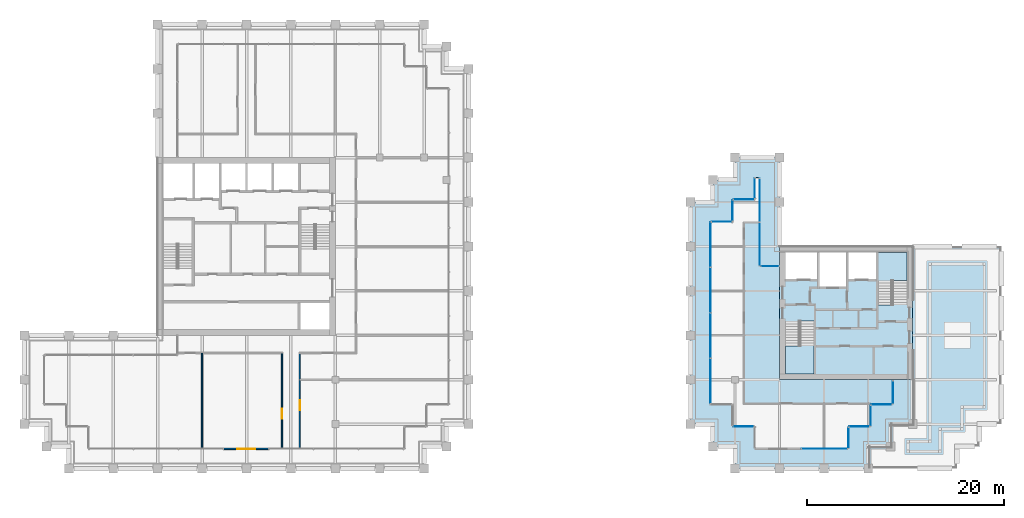
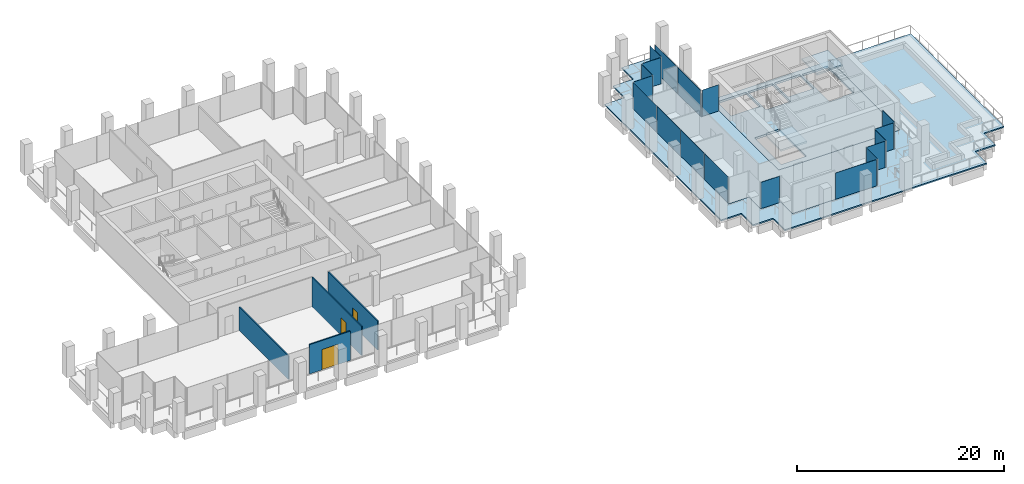
# One storey, part 37 of 44: 18 plates, 5 slabs, 4 walls, 3 doors, 3 openings, 16 elements without a shape of their own.
"""IFC4 building model written with IfcOpenShell, lengths in metres."""

from ifc_helpers import new_model, si_unit, direction, frame, frame_2d, origin, origin_2d, place, context, subcontext, project, spatial, polyline, rectangle, outline, extrude, material, layer, layer_set, type_object, element, fill, aggregate, save


model = new_model("IFC4")

# Units and contexts
model_context = context("Model", 3, precision=1e-05, world=origin(), true_north=direction((0.0, 1.0)))
body_context = subcontext(model_context, "Body", "Model", "MODEL_VIEW")
ifc_project = project(units=[si_unit("LENGTHUNIT", "METRE"), si_unit("AREAUNIT", "SQUARE_METRE"), si_unit("VOLUMEUNIT", "CUBIC_METRE"), si_unit("PLANEANGLEUNIT", "RADIAN"), si_unit("MASSUNIT", "GRAM", prefix="KILO")], contexts=[model_context])

# Site, building, storey
site_placement = place(None, origin())
site = spatial("IfcSite", under=ifc_project, at=site_placement, CompositionType="ELEMENT")
building_placement = place(site_placement, origin())
building = spatial("IfcBuilding", under=site, at=building_placement, Name="Altepetl Exchange Towers", CompositionType="ELEMENT")
storey_placement = place(building_placement, frame((0.0, 0.0, 143.800048828125)))
storey = spatial("IfcBuildingStorey", under=building, at=storey_placement, Name="L35", CompositionType="ELEMENT", Elevation=143.800048828125)

# Slabs
ifc_material_1 = material(Name="Concrete C40/50", Category="concrete")
ifc_layer_1 = layer(ifc_material_1, 0.14990234375)
ifc_layer_set_1 = layer_set([ifc_layer_1], Name="Concrete C40/50")
slab_type_1 = type_object("IfcSlabType", Name="Composite floor slab 150", PredefinedType="FLOOR", material=ifc_layer_set_1)
slab_1_placement = place(storey_placement, frame((0.0, 0.0, -0.150146484375)))
element("IfcSlab", 1, at=slab_1_placement, inside=storey, type_object=slab_type_1, Name="slab:B:L35:strip0", PredefinedType="FLOOR", context=body_context, shape_type="SweptSolid", body=[
    extrude(outline(polyline([(98.75, 31.25), (101.0, 31.25), (101.0, 29.0), (110.5, 29.0), (110.5, 31.25), (112.75, 31.25), (112.75, 33.5), (115.0, 33.5), (115.0, 36.0), (103.5, 36.0), (103.5, 47.5), (101.5, 47.5), (101.5, 56.5), (101.0, 56.5), (101.0, 54.25), (98.75, 54.25), (98.75, 52.0), (96.5, 52.0), (96.5, 33.5), (98.75, 33.5), (98.75, 31.25)])), origin(), (0.0, 0.0, 1.0), 0.150146484375),
])
ifc_layer_2 = layer(ifc_material_1, 0.25)
ifc_layer_set_2 = layer_set([ifc_layer_2], Name="Concrete C40/50")
slab_type_2 = type_object("IfcSlabType", Name="Core floor slab 250", PredefinedType="FLOOR", material=ifc_layer_set_2)
slab_2_placement = place(storey_placement, frame((0.0, 0.0, -0.25)))
element("IfcSlab", 2, at=slab_2_placement, inside=storey, type_object=slab_type_2, Name="slab:B:L35:core0", PredefinedType="FLOOR", context=body_context, shape_type="SweptSolid", body=[
    extrude(outline(polyline([(103.5, 36.0), (117.0, 36.0), (117.0, 49.5), (103.5, 49.5), (103.5, 36.0)]), holes=[polyline([(107.0, 36.699951171875), (104.199951171875, 36.699951171875), (104.199951171875, 41.85009765625), (105.5, 41.85009765625), (105.5, 41.948974609375), (107.0, 41.948974609375), (107.0, 36.699951171875)]), polyline([(113.5, 48.800048828125), (116.300048828125, 48.800048828125), (116.300048828125, 43.64990234375), (115.0, 43.64990234375), (115.0, 43.551025390625), (113.5, 43.551025390625), (113.5, 48.800048828125)]), polyline([(107.532958984375, 45.39990234375), (107.532958984375, 48.89990234375), (110.26708984375, 48.89990234375), (110.26708984375, 45.39990234375), (107.532958984375, 45.39990234375)]), polyline([(104.10009765625, 48.89990234375), (107.3330078125, 48.89990234375), (107.3330078125, 46.199951171875), (104.10009765625, 46.199951171875), (104.10009765625, 48.89990234375)]), polyline([(110.467041015625, 48.89990234375), (113.300048828125, 48.89990234375), (113.300048828125, 46.199951171875), (110.467041015625, 46.199951171875), (110.467041015625, 48.89990234375)])]), origin(), (0.0, 0.0, 1.0), 0.25),
])

# Curtain wall, plate
ifc_material_2 = material(Name="Aluminium 6063-T6 glazing", Category="aluminium")
curtain_wall_type = type_object("IfcCurtainWallType", Name="Loggia glazing system", PredefinedType="NOTDEFINED", material=ifc_material_2)
curtain_wall_1_placement = place(storey_placement, origin())
curtain_wall_1 = element("IfcCurtainWall", 3, at=curtain_wall_1_placement, inside=storey, type_object=curtain_wall_type, Name="CW1 run", PredefinedType="NOTDEFINED")
ifc_material_3 = material(Name="Glass 6-16-6 low emissivity", Category="glass")
ifc_layer_3 = layer(ifc_material_3, 0.028076171875)
ifc_layer_set_3 = layer_set([ifc_layer_3], Name="Glass 6-16-6 low emissivity")
plate_type = type_object("IfcPlateType", Name="Glass panel 28 double glazed", PredefinedType="CURTAIN_PANEL", material=ifc_layer_set_3)
plate_1_placement = place(storey_placement, frame((108.06884765625, 29.0, 0.0)))
plate_1 = element("IfcPlate", 4, at=plate_1_placement, type_object=plate_type, Name="GP1 panel", PredefinedType="CURTAIN_PANEL", context=body_context, shape_type="SweptSolid", body=[
    extrude(rectangle(XDim=4.592529296875, YDim=0.028076171875, at=origin_2d()), origin(), (0.0, 0.0, 1.0), 3.10009765625),
])
aggregate(curtain_wall_1, [plate_1])

curtain_wall_2_placement = place(storey_placement, origin())
curtain_wall_2 = element("IfcCurtainWall", 5, at=curtain_wall_2_placement, inside=storey, type_object=curtain_wall_type, Name="CW1 run", PredefinedType="NOTDEFINED")
plate_2_placement = place(storey_placement, frame((110.5, 30.08740234375, 0.0), z_axis=(0.0, 0.0, 1.0), x_axis=(0.0, 1.0, 0.0)))
plate_2 = element("IfcPlate", 6, at=plate_2_placement, type_object=plate_type, Name="GP1 panel", PredefinedType="CURTAIN_PANEL", context=body_context, shape_type="SweptSolid", body=[
    extrude(rectangle(XDim=2.054931640625, YDim=0.028076171875, at=origin_2d()), origin(), (0.0, 0.0, 1.0), 3.10009765625),
])
aggregate(curtain_wall_2, [plate_2])

curtain_wall_3_placement = place(storey_placement, origin())
curtain_wall_3 = element("IfcCurtainWall", 7, at=curtain_wall_3_placement, inside=storey, type_object=curtain_wall_type, Name="CW1 run", PredefinedType="NOTDEFINED")
plate_3_placement = place(storey_placement, frame((111.58740234375, 31.25, 0.0)))
plate_3 = element("IfcPlate", 8, at=plate_3_placement, type_object=plate_type, Name="GP1 panel", PredefinedType="CURTAIN_PANEL", context=body_context, shape_type="SweptSolid", body=[
    extrude(rectangle(XDim=2.054931640625, YDim=0.028076171875, at=origin_2d()), origin(), (0.0, 0.0, 1.0), 3.10009765625),
])
aggregate(curtain_wall_3, [plate_3])

curtain_wall_4_placement = place(storey_placement, origin())
curtain_wall_4 = element("IfcCurtainWall", 9, at=curtain_wall_4_placement, inside=storey, type_object=curtain_wall_type, Name="CW1 run", PredefinedType="NOTDEFINED")
plate_4_placement = place(storey_placement, frame((112.75, 32.33740234375, 0.0), z_axis=(0.0, 0.0, 1.0), x_axis=(0.0, 1.0, 0.0)))
plate_4 = element("IfcPlate", 10, at=plate_4_placement, type_object=plate_type, Name="GP1 panel", PredefinedType="CURTAIN_PANEL", context=body_context, shape_type="SweptSolid", body=[
    extrude(rectangle(XDim=2.054931640625, YDim=0.028076171875, at=origin_2d()), origin(), (0.0, 0.0, 1.0), 3.10009765625),
])
aggregate(curtain_wall_4, [plate_4])

curtain_wall_5_placement = place(storey_placement, origin())
curtain_wall_5 = element("IfcCurtainWall", 11, at=curtain_wall_5_placement, inside=storey, type_object=curtain_wall_type, Name="CW1 run", PredefinedType="NOTDEFINED")
plate_5_placement = place(storey_placement, frame((113.83740234375, 33.5, 0.0)))
plate_5 = element("IfcPlate", 12, at=plate_5_placement, type_object=plate_type, Name="GP1 panel", PredefinedType="CURTAIN_PANEL", context=body_context, shape_type="SweptSolid", body=[
    extrude(rectangle(XDim=2.054931640625, YDim=0.028076171875, at=origin_2d()), origin(), (0.0, 0.0, 1.0), 3.10009765625),
])
aggregate(curtain_wall_5, [plate_5])

curtain_wall_6_placement = place(storey_placement, origin())
curtain_wall_6 = element("IfcCurtainWall", 13, at=curtain_wall_6_placement, inside=storey, type_object=curtain_wall_type, Name="CW1 run", PredefinedType="NOTDEFINED")
plate_6_placement = place(storey_placement, frame((115.0, 34.71240234375, 0.0), z_axis=(0.0, 0.0, 1.0), x_axis=(0.0, 1.0, 0.0)))
plate_6 = element("IfcPlate", 14, at=plate_6_placement, type_object=plate_type, Name="GP1 panel", PredefinedType="CURTAIN_PANEL", context=body_context, shape_type="SweptSolid", body=[
    extrude(rectangle(XDim=2.304931640625, YDim=0.028076171875, at=origin_2d()), origin(), (0.0, 0.0, 1.0), 3.10009765625),
])
aggregate(curtain_wall_6, [plate_6])

curtain_wall_7_placement = place(storey_placement, origin())
curtain_wall_7 = element("IfcCurtainWall", 15, at=curtain_wall_7_placement, inside=storey, type_object=curtain_wall_type, Name="CW1 run", PredefinedType="NOTDEFINED")
plate_7_placement = place(storey_placement, frame((102.53759765625, 47.5, 0.0), z_axis=(0.0, 0.0, 1.0), x_axis=(-1.0, 0.0, 0.0)))
plate_7 = element("IfcPlate", 16, at=plate_7_placement, type_object=plate_type, Name="GP1 panel", PredefinedType="CURTAIN_PANEL", context=body_context, shape_type="SweptSolid", body=[
    extrude(rectangle(XDim=1.804931640625, YDim=0.028076171875, at=origin_2d()), origin(), (0.0, 0.0, 1.0), 3.10009765625),
])
aggregate(curtain_wall_7, [plate_7])

# Curtain wall, plates
curtain_wall_8_placement = place(storey_placement, origin())
curtain_wall_8 = element("IfcCurtainWall", 17, at=curtain_wall_8_placement, inside=storey, type_object=curtain_wall_type, Name="CW1 run", PredefinedType="NOTDEFINED")
plate_8_placement = place(storey_placement, frame((101.5, 49.746337890625, 0.0), z_axis=(0.0, 0.0, 1.0), x_axis=(0.0, 1.0, 0.0)))
plate_8 = element("IfcPlate", 18, at=plate_8_placement, type_object=plate_type, Name="GP1 panel", PredefinedType="CURTAIN_PANEL", context=body_context, shape_type="SweptSolid", body=[
    extrude(rectangle(XDim=4.37255859375, YDim=0.028076171875, at=origin_2d()), origin(), (0.0, 0.0, 1.0), 3.10009765625),
])
plate_9_placement = place(storey_placement, frame((101.5, 54.1787109375, 0.0), z_axis=(0.0, 0.0, 1.0), x_axis=(0.0, 1.0, 0.0)))
plate_9 = element("IfcPlate", 19, at=plate_9_placement, type_object=plate_type, Name="GP1 panel", PredefinedType="CURTAIN_PANEL", context=body_context, shape_type="SweptSolid", body=[
    extrude(rectangle(XDim=4.37255859375, YDim=0.028076171875, at=origin_2d()), origin(), (0.0, 0.0, 1.0), 3.10009765625),
])
aggregate(curtain_wall_8, [plate_8, plate_9])

# Curtain wall, plate
curtain_wall_9_placement = place(storey_placement, origin())
curtain_wall_9 = element("IfcCurtainWall", 20, at=curtain_wall_9_placement, inside=storey, type_object=curtain_wall_type, Name="CW1 run", PredefinedType="NOTDEFINED")
plate_10_placement = place(storey_placement, frame((101.0, 55.41259765625, 0.0), z_axis=(0.0, 0.0, 1.0), x_axis=(0.0, -1.0, 0.0)))
plate_10 = element("IfcPlate", 21, at=plate_10_placement, type_object=plate_type, Name="GP1 panel", PredefinedType="CURTAIN_PANEL", context=body_context, shape_type="SweptSolid", body=[
    extrude(rectangle(XDim=2.054931640625, YDim=0.028076171875, at=origin_2d()), origin(), (0.0, 0.0, 1.0), 3.10009765625),
])
aggregate(curtain_wall_9, [plate_10])

curtain_wall_10_placement = place(storey_placement, origin())
curtain_wall_10 = element("IfcCurtainWall", 22, at=curtain_wall_10_placement, inside=storey, type_object=curtain_wall_type, Name="CW1 run", PredefinedType="NOTDEFINED")
plate_11_placement = place(storey_placement, frame((99.91259765625, 54.25, 0.0), z_axis=(0.0, 0.0, 1.0), x_axis=(-1.0, 0.0, 0.0)))
plate_11 = element("IfcPlate", 23, at=plate_11_placement, type_object=plate_type, Name="GP1 panel", PredefinedType="CURTAIN_PANEL", context=body_context, shape_type="SweptSolid", body=[
    extrude(rectangle(XDim=2.054931640625, YDim=0.028076171875, at=origin_2d()), origin(), (0.0, 0.0, 1.0), 3.10009765625),
])
aggregate(curtain_wall_10, [plate_11])

curtain_wall_11_placement = place(storey_placement, origin())
curtain_wall_11 = element("IfcCurtainWall", 24, at=curtain_wall_11_placement, inside=storey, type_object=curtain_wall_type, Name="CW1 run", PredefinedType="NOTDEFINED")
plate_12_placement = place(storey_placement, frame((98.75, 53.16259765625, 0.0), z_axis=(0.0, 0.0, 1.0), x_axis=(0.0, -1.0, 0.0)))
plate_12 = element("IfcPlate", 25, at=plate_12_placement, type_object=plate_type, Name="GP1 panel", PredefinedType="CURTAIN_PANEL", context=body_context, shape_type="SweptSolid", body=[
    extrude(rectangle(XDim=2.054931640625, YDim=0.028076171875, at=origin_2d()), origin(), (0.0, 0.0, 1.0), 3.10009765625),
])
aggregate(curtain_wall_11, [plate_12])

curtain_wall_12_placement = place(storey_placement, origin())
curtain_wall_12 = element("IfcCurtainWall", 26, at=curtain_wall_12_placement, inside=storey, type_object=curtain_wall_type, Name="CW1 run", PredefinedType="NOTDEFINED")
plate_13_placement = place(storey_placement, frame((97.66259765625, 52.0, 0.0), z_axis=(0.0, 0.0, 1.0), x_axis=(-1.0, 0.0, 0.0)))
plate_13 = element("IfcPlate", 27, at=plate_13_placement, type_object=plate_type, Name="GP1 panel", PredefinedType="CURTAIN_PANEL", context=body_context, shape_type="SweptSolid", body=[
    extrude(rectangle(XDim=2.054931640625, YDim=0.028076171875, at=origin_2d()), origin(), (0.0, 0.0, 1.0), 3.10009765625),
])
aggregate(curtain_wall_12, [plate_13])

# Curtain wall, plates
curtain_wall_13_placement = place(storey_placement, origin())
curtain_wall_13 = element("IfcCurtainWall", 28, at=curtain_wall_13_placement, inside=storey, type_object=curtain_wall_type, Name="CW1 run", PredefinedType="NOTDEFINED")
plate_14_placement = place(storey_placement, frame((96.5, 49.681884765625, 0.0), z_axis=(0.0, 0.0, 1.0), x_axis=(0.0, -1.0, 0.0)))
plate_14 = element("IfcPlate", 29, at=plate_14_placement, type_object=plate_type, Name="GP1 panel", PredefinedType="CURTAIN_PANEL", context=body_context, shape_type="SweptSolid", body=[
    extrude(rectangle(XDim=4.516357421875, YDim=0.028076171875, at=origin_2d()), origin(), (0.0, 0.0, 1.0), 3.10009765625),
])
plate_15_placement = place(storey_placement, frame((96.5, 45.090576171875, 0.0), z_axis=(0.0, 0.0, 1.0), x_axis=(0.0, -1.0, 0.0)))
plate_15 = element("IfcPlate", 30, at=plate_15_placement, type_object=plate_type, Name="GP1 panel", PredefinedType="CURTAIN_PANEL", context=body_context, shape_type="SweptSolid", body=[
    extrude(rectangle(XDim=4.546142578125, YDim=0.028076171875, at=origin_2d()), origin(), (0.0, 0.0, 1.0), 3.10009765625),
])
plate_16_placement = place(storey_placement, frame((96.5, 40.484375, 0.0), z_axis=(0.0, 0.0, 1.0), x_axis=(0.0, -1.0, 0.0)))
plate_16 = element("IfcPlate", 31, at=plate_16_placement, type_object=plate_type, Name="GP1 panel", PredefinedType="CURTAIN_PANEL", context=body_context, shape_type="SweptSolid", body=[
    extrude(rectangle(XDim=4.546142578125, YDim=0.028076171875, at=origin_2d()), origin(), (0.0, 0.0, 1.0), 3.10009765625),
])
plate_17_placement = place(storey_placement, frame((96.5, 35.89306640625, 0.0), z_axis=(0.0, 0.0, 1.0), x_axis=(0.0, -1.0, 0.0)))
plate_17 = element("IfcPlate", 32, at=plate_17_placement, type_object=plate_type, Name="GP1 panel", PredefinedType="CURTAIN_PANEL", context=body_context, shape_type="SweptSolid", body=[
    extrude(rectangle(XDim=4.516357421875, YDim=0.028076171875, at=origin_2d()), origin(), (0.0, 0.0, 1.0), 3.10009765625),
])
aggregate(curtain_wall_13, [plate_14, plate_15, plate_16, plate_17])

# Curtain wall, plate
curtain_wall_14_placement = place(storey_placement, origin())
curtain_wall_14 = element("IfcCurtainWall", 33, at=curtain_wall_14_placement, inside=storey, type_object=curtain_wall_type, Name="CW1 run", PredefinedType="NOTDEFINED")
plate_18_placement = place(storey_placement, frame((99.83740234375, 31.25, 0.0)))
plate_18 = element("IfcPlate", 34, at=plate_18_placement, type_object=plate_type, Name="GP1 panel", PredefinedType="CURTAIN_PANEL", context=body_context, shape_type="SweptSolid", body=[
    extrude(rectangle(XDim=2.054931640625, YDim=0.028076171875, at=origin_2d()), origin(), (0.0, 0.0, 1.0), 3.10009765625),
])
aggregate(curtain_wall_14, [plate_18])

# Slab
ifc_layer_4 = layer(ifc_material_1, 0.14990234375)
ifc_layer_set_4 = layer_set([ifc_layer_4], Name="Concrete C40/50")
slab_type_3 = type_object("IfcSlabType", Name="Green roof slab 150", PredefinedType="ROOF", material=ifc_layer_set_4)
slab_3_placement = place(storey_placement, frame((0.0, 0.0, -0.150146484375)))
element("IfcSlab", 35, at=slab_3_placement, inside=storey, type_object=slab_type_3, Name="slab:B:L35:terrace0", PredefinedType="ROOF", context=body_context, shape_type="SweptSolid", body=[
    extrude(outline(polyline([(96.75, 56.25), (96.75, 54.0), (94.5, 54.0), (94.5, 36.0), (94.5, 31.5), (96.75, 31.5), (96.75, 29.25), (99.0, 29.25), (99.0, 27.0), (117.0, 27.0), (121.5, 27.0), (121.5, 29.25), (123.75, 29.25), (123.75, 31.5), (126.0, 31.5), (126.0, 49.5), (117.0, 49.5), (117.0, 36.0), (115.0, 36.0), (115.0, 33.5), (112.75, 33.5), (112.75, 31.25), (110.5, 31.25), (110.5, 29.0), (101.0, 29.0), (101.0, 31.25), (98.75, 31.25), (98.75, 33.5), (96.5, 33.5), (96.5, 52.0), (98.75, 52.0), (98.75, 54.25), (101.0, 54.25), (101.0, 56.5), (101.5, 56.5), (101.5, 47.5), (103.5, 47.5), (103.5, 49.5), (103.5, 58.5), (99.0, 58.5), (99.0, 56.25), (96.75, 56.25)])), origin(), (0.0, 0.0, 1.0), 0.150146484375),
])

# Stair, slab
stair_type = type_object("IfcStairType", Name="Exit stair 1400 flights dogleg", PredefinedType="HALF_TURN_STAIR", material=ifc_material_1)
stair_1_placement = place(storey_placement, origin())
stair_1 = element("IfcStair", 36, at=stair_1_placement, inside=storey, type_object=stair_type, Name="Exit stair 1", PredefinedType="HALF_TURN_STAIR")
ifc_layer_5 = layer(ifc_material_1, 0.199951171875)
ifc_layer_set_5 = layer_set([ifc_layer_5], Name="Concrete C40/50")
slab_type_4 = type_object("IfcSlabType", Name="Stair landing 200 reinforced concrete", PredefinedType="LANDING", material=ifc_layer_set_5)
slab_4_placement = place(storey_placement, frame((0.0, 0.0, 1.599853515625)))
slab_4 = element("IfcSlab", 37, at=slab_4_placement, type_object=slab_type_4, Name="ST-B1e landing 1", PredefinedType="LANDING", context=body_context, shape_type="SweptSolid", body=[
    extrude(outline(polyline([(107.0, 36.60009765625), (104.10009765625, 36.60009765625), (104.10009765625, 39.429931640625), (104.10009765625, 39.4306640625), (105.5, 39.4306640625), (105.5, 39.429931640625), (105.60009765625, 39.429931640625), (105.60009765625, 39.530029296875), (107.0, 39.530029296875), (107.0, 39.429931640625), (107.0, 36.60009765625)])), origin(), (0.0, 0.0, 1.0), 0.2001953125),
])
aggregate(stair_1, [slab_4])

stair_2_placement = place(storey_placement, origin())
stair_2 = element("IfcStair", 38, at=stair_2_placement, inside=storey, type_object=stair_type, Name="Exit stair 2", PredefinedType="HALF_TURN_STAIR")
slab_5_placement = place(storey_placement, frame((0.0, 0.0, 1.599853515625)))
slab_5 = element("IfcSlab", 39, at=slab_5_placement, type_object=slab_type_4, Name="ST-B2e landing 1", PredefinedType="LANDING", context=body_context, shape_type="SweptSolid", body=[
    extrude(outline(polyline([(114.89990234375, 45.969970703125), (113.5, 45.969970703125), (113.5, 46.070068359375), (113.5, 48.89990234375), (116.39990234375, 48.89990234375), (116.39990234375, 46.070068359375), (116.39990234375, 46.0693359375), (115.0, 46.0693359375), (115.0, 46.070068359375), (114.89990234375, 46.070068359375), (114.89990234375, 45.969970703125)])), origin(), (0.0, 0.0, 1.0), 0.2001953125),
])
aggregate(stair_2, [slab_5])

# Wall, opening, door
ifc_material_4 = material(Name="Aluminium composite cladding", Category="aluminium")
ifc_layer_6 = layer(ifc_material_4, 0.14990234375)
ifc_layer_set_6 = layer_set([ifc_layer_6], Name="Aluminium composite cladding")
wall_type_1 = type_object("IfcWallType", Name="Infill wall 150 aluminium panel", PredefinedType="SOLIDWALL", material=ifc_layer_set_6)
wall_1_placement = place(storey_placement, frame((47.18212890625, 29.0, 0.0)))
wall_1 = element("IfcWall", 40, at=wall_1_placement, inside=storey, type_object=wall_type_1, Name="Loggia door bay wall", PredefinedType="SOLIDWALL", context=body_context, shape_type="SweptSolid", body=[
    extrude(rectangle(XDim=4.560791015625, YDim=0.14990234375, at=frame_2d((2.2802734375, 0.0))), origin(), (0.0, 0.0, 1.0), 3.449951171875),
])
opening_1_placement = place(wall_1_placement, frame((1.38037109375, 0.0, 0.0)))
opening_1 = element("IfcOpeningElement", 41, at=opening_1_placement, cuts=wall_1, Name="Opening L35.A90", PredefinedType="OPENING", context=body_context, shape_type="SweptSolid", body=[
    extrude(rectangle(XDim=1.800048828125, YDim=2.39990234375, at=frame_2d((0.89990234375, 1.199951171875))), frame((0.0, 0.0849609375, 0.0), z_axis=(0.0, -1.0, 0.0), x_axis=(1.0, 0.0, 0.0)), (0.0, 0.0, 1.0), 0.169921875),
])
ifc_material_5 = material(Name="Aluminium 6063-T6 and glass", Category="aluminium")
door_type_1 = type_object("IfcDoorType", Name="Glazed door pair 1800x2400", OperationType="DOUBLE_DOOR_DOUBLE_SWING", PredefinedType="NOTDEFINED", material=ifc_material_5)
door_1_placement = place(opening_1_placement, frame((1.800048828125, 0.0, 0.0), x_axis=(-1.0, 0.0, 0.0)))
door_1 = element("IfcDoor", 42, at=door_1_placement, inside=storey, type_object=door_type_1, Name="Loggia door", OperationType="DOUBLE_DOOR_DOUBLE_SWING", OverallHeight=2.39990234375, OverallWidth=1.800048828125, PredefinedType="NOTDEFINED", context=body_context, shape_type="SweptSolid", body=[
    extrude(rectangle(XDim=1.800048828125, YDim=2.39990234375, at=frame_2d((0.89990234375, 1.199951171875))), frame((0.0, 0.02490234375, 0.0), z_axis=(0.0, -1.0, 0.0), x_axis=(1.0, 0.0, 0.0)), (0.0, 0.0, 1.0), 0.050048828125),
])
fill(opening_1, door_1)

# Wall
ifc_material_6 = material(Name="Gypsum board on steel studs", Category="steel")
ifc_layer_7 = layer(ifc_material_6, 0.125)
ifc_layer_set_7 = layer_set([ifc_layer_7], Name="Gypsum board on steel studs")
wall_type_2 = type_object("IfcWallType", Name="Partition 125 gypsum board on steel studs", PredefinedType="PARTITIONING", material=ifc_layer_set_7)
wall_2_placement = place(storey_placement, frame((45.0, 29.10009765625, 0.0), z_axis=(0.0, 0.0, 1.0), x_axis=(0.0, 1.0, 0.0)))
element("IfcWall", 43, at=wall_2_placement, inside=storey, type_object=wall_type_2, Name="wall:A:L35:P14", PredefinedType="PARTITIONING", context=body_context, shape_type="SweptSolid", body=[
    extrude(rectangle(XDim=9.599853515625, YDim=0.125, at=frame_2d((4.7998046875, 0.0))), origin(), (0.0, 0.0, 1.0), 2.765869140625),
])

# Wall, opening, door
wall_3_placement = place(storey_placement, frame((53.10009765625, 29.10009765625, 0.0), z_axis=(0.0, 0.0, 1.0), x_axis=(0.0, 1.0, 0.0)))
wall_3 = element("IfcWall", 44, at=wall_3_placement, inside=storey, type_object=wall_type_2, Name="wall:A:L35:P17", PredefinedType="PARTITIONING", context=body_context, shape_type="SweptSolid", body=[
    extrude(rectangle(XDim=9.537353515625, YDim=0.125, at=frame_2d((4.7685546875, 0.0))), origin(), (0.0, 0.0, 1.0), 3.449951171875),
])
opening_2_placement = place(wall_3_placement, frame((2.952880859375, 0.0, 0.0)))
opening_2 = element("IfcOpeningElement", 45, at=opening_2_placement, cuts=wall_3, Name="Opening L35.A02", PredefinedType="OPENING", context=body_context, shape_type="SweptSolid", body=[
    extrude(rectangle(XDim=1.0, YDim=2.10009765625, at=frame_2d((0.5, 1.050048828125))), frame((0.0, 0.072509765625, 0.0), z_axis=(0.0, -1.0, 0.0), x_axis=(1.0, 0.0, 0.0)), (0.0, 0.0, 1.0), 0.14501953125),
])
ifc_material_7 = material(Name="Steel and timber fire door", Category="steel")
door_type_2 = type_object("IfcDoorType", Name="Fire door 1000 x 2100 single leaf", OperationType="SINGLE_SWING_LEFT", PredefinedType="DOOR", material=ifc_material_7)
door_2_placement = place(opening_2_placement, origin())
door_2 = element("IfcDoor", 46, at=door_2_placement, inside=storey, type_object=door_type_2, Name="door:A:L35:02", OperationType="SINGLE_SWING_RIGHT", OverallHeight=2.10009765625, OverallWidth=1.0, PredefinedType="DOOR", context=body_context, shape_type="SweptSolid", body=[
    extrude(rectangle(XDim=1.0, YDim=2.10009765625, at=frame_2d((0.5, 1.050048828125))), frame((0.0, 0.02490234375, 0.0), z_axis=(0.0, -1.0, 0.0), x_axis=(1.0, 0.0, 0.0)), (0.0, 0.0, 1.0), 0.050048828125),
])
fill(opening_2, door_2)

wall_4_placement = place(storey_placement, frame((54.89990234375, 29.10009765625, 0.0), z_axis=(0.0, 0.0, 1.0), x_axis=(0.0, 1.0, 0.0)))
wall_4 = element("IfcWall", 47, at=wall_4_placement, inside=storey, type_object=wall_type_2, Name="wall:A:L35:P18", PredefinedType="PARTITIONING", context=body_context, shape_type="SweptSolid", body=[
    extrude(rectangle(XDim=9.537353515625, YDim=0.125, at=frame_2d((4.7685546875, 0.0))), origin(), (0.0, 0.0, 1.0), 3.449951171875),
])
opening_3_placement = place(wall_4_placement, frame((3.824951171875, 0.0, 0.0)))
opening_3 = element("IfcOpeningElement", 48, at=opening_3_placement, cuts=wall_4, Name="Opening L35.A03", PredefinedType="OPENING", context=body_context, shape_type="SweptSolid", body=[
    extrude(rectangle(XDim=1.0, YDim=2.10009765625, at=frame_2d((0.5, 1.050048828125))), frame((0.0, 0.072509765625, 0.0), z_axis=(0.0, -1.0, 0.0), x_axis=(1.0, 0.0, 0.0)), (0.0, 0.0, 1.0), 0.14501953125),
])
door_3_placement = place(opening_3_placement, frame((1.0, 0.0, 0.0), x_axis=(-1.0, 0.0, 0.0)))
door_3 = element("IfcDoor", 49, at=door_3_placement, inside=storey, type_object=door_type_2, Name="door:A:L35:03", OperationType="SINGLE_SWING_LEFT", OverallHeight=2.10009765625, OverallWidth=1.0, PredefinedType="DOOR", context=body_context, shape_type="SweptSolid", body=[
    extrude(rectangle(XDim=1.0, YDim=2.10009765625, at=frame_2d((0.5, 1.050048828125))), frame((0.0, 0.02490234375, 0.0), z_axis=(0.0, -1.0, 0.0), x_axis=(1.0, 0.0, 0.0)), (0.0, 0.0, 1.0), 0.050048828125),
])
fill(opening_3, door_3)

save(model, "model.ifc")
